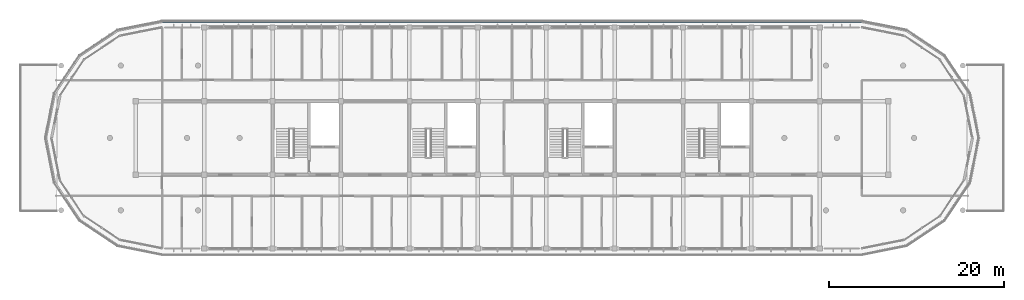
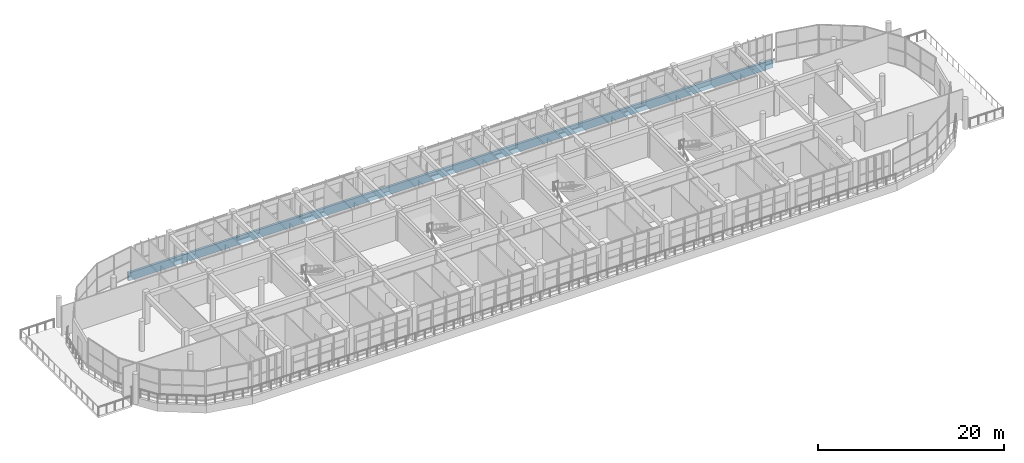
# One storey, part 43 of 56: 1 plate.
"""IFC4 building model written with IfcOpenShell, lengths in metres."""

from ifc_helpers import new_model, si_unit, direction, frame, origin, place, context, subcontext, project, spatial, polyline, outline, extrude, material, layer, layer_set, type_object, element, save


model = new_model("IFC4")

# Units and contexts
model_context = context("Model", 3, precision=1e-05, world=origin(), true_north=direction((0.0, 1.0)))
body_context = subcontext(model_context, "Body", "Model", "MODEL_VIEW")
ifc_project = project(units=[si_unit("LENGTHUNIT", "METRE"), si_unit("AREAUNIT", "SQUARE_METRE"), si_unit("VOLUMEUNIT", "CUBIC_METRE"), si_unit("PLANEANGLEUNIT", "RADIAN"), si_unit("MASSUNIT", "GRAM", prefix="KILO")], contexts=[model_context])

# Site, building, storey
site_placement = place(None, origin())
site = spatial("IfcSite", under=ifc_project, at=site_placement, CompositionType="ELEMENT")
building_placement = place(site_placement, origin())
building = spatial("IfcBuilding", under=site, at=building_placement, Name="Zizhar Promenade General Hospital", CompositionType="ELEMENT")
storey_placement = place(building_placement, frame((0.0, 0.0, 26.39990234375)))
storey = spatial("IfcBuildingStorey", under=building, at=storey_placement, Name="L06", CompositionType="ELEMENT", Elevation=26.39990234375)

# Plate
ifc_material = material(Name="Precast concrete C40/50", Category="concrete")
ifc_layer = layer(ifc_material, 0.300048828125)
ifc_layer_set = layer_set([ifc_layer], Name="Precast concrete C40/50")
plate_type = type_object("IfcPlateType", Name="PL-PC-BAND1100", PredefinedType="USERDEFINED", material=ifc_layer_set)
plate_placement = place(storey_placement, frame((0.0, 0.0, -1.0498046875)))
element("IfcPlate", 1, at=plate_placement, inside=storey, type_object=plate_type, Name="Ward Precast Slab Band L06-09", ObjectType="FASCIA_BAND", PredefinedType="USERDEFINED", context=body_context, shape_type="SweptSolid", body=[
    extrude(outline(polyline([(114.0, 26.050048828125), (34.199951171875, 26.050048828125), (34.199951171875, 25.75), (114.0, 25.75), (114.0, 26.050048828125)])), origin(), (0.0, 0.0, 1.0), 1.0498046875),
])

save(model, "model.ifc")
